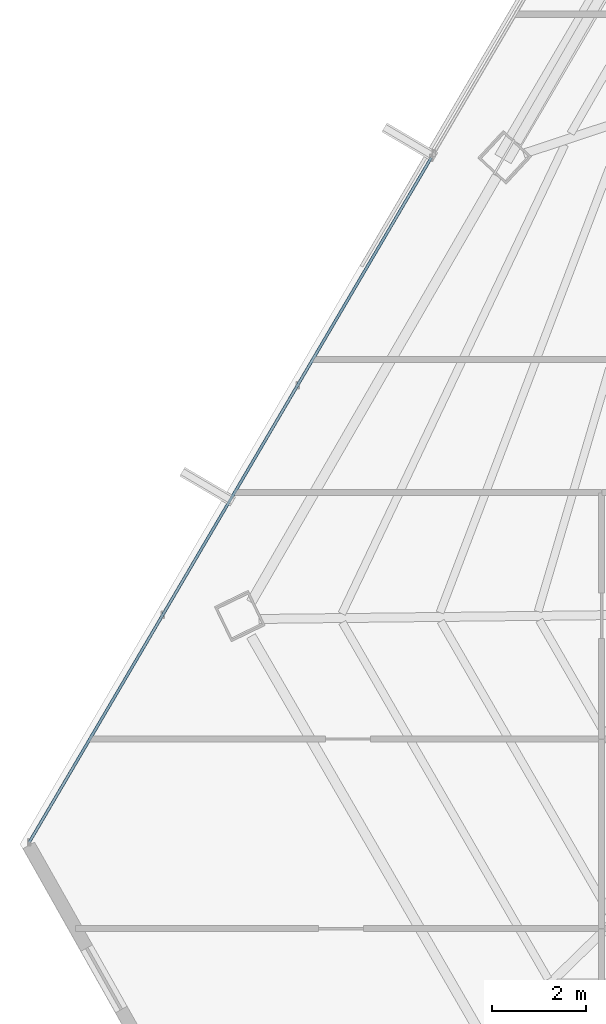
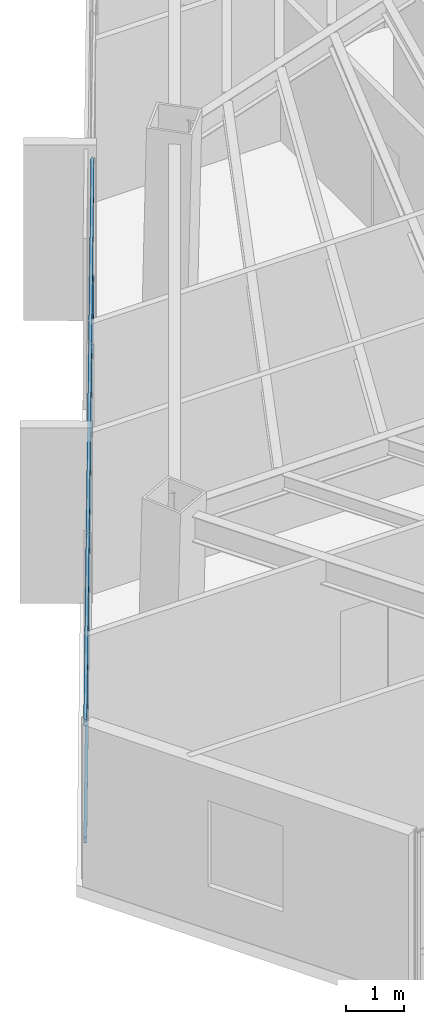
# One storey, part 9 of 42: 2 members, 1 element without a shape of its own.
"""IFC4 building model written with IfcOpenShell, lengths in metres."""

from ifc_helpers import new_model, si_unit, direction, frame, origin, origin_2d, place, context, subcontext, project, spatial, hollow_rectangle, extrude, source, transform, mapped, material, material_profile, profile_set, type_object, type_shapes, element, aggregate, save


model = new_model("IFC4")

# Units and contexts
model_context = context("Model", 3, precision=1e-05, world=origin(), true_north=direction((0.0, 1.0)))
body_context = subcontext(model_context, "Body", "Model", "MODEL_VIEW")
ifc_project = project(units=[si_unit("LENGTHUNIT", "METRE"), si_unit("AREAUNIT", "SQUARE_METRE"), si_unit("VOLUMEUNIT", "CUBIC_METRE"), si_unit("PLANEANGLEUNIT", "RADIAN"), si_unit("MASSUNIT", "GRAM", prefix="KILO")], contexts=[model_context])

# Site, building, storey
site_placement = place(None, origin())
site = spatial("IfcSite", under=ifc_project, at=site_placement, CompositionType="ELEMENT")
building_placement = place(site_placement, origin())
building = spatial("IfcBuilding", under=site, at=building_placement, Name="Caelisora Broadcast Tower", CompositionType="ELEMENT")
storey_placement = place(building_placement, frame((0.0, 0.0, 195.0)))
storey = spatial("IfcBuildingStorey", under=building, at=storey_placement, Name="L51", CompositionType="ELEMENT", Elevation=195.0)

# Curtain wall, members
ifc_material_1 = material(Name="Unitised Aluminium and Low-E Glass Curtain Wall", Category="glass")
curtain_wall_type = type_object("IfcCurtainWallType", Name="CW-Z4", PredefinedType="NOTDEFINED", material=ifc_material_1)
curtain_wall_placement = place(storey_placement, origin())
curtain_wall = element("IfcCurtainWall", 1, at=curtain_wall_placement, inside=storey, type_object=curtain_wall_type, Name="L51 curtain wall CW-Z4", PredefinedType="NOTDEFINED")
ifc_material_2 = material(Name="Aluminium 6063-T6 Anodised Terracotta Bronze", Category="aluminium")
ifc_material_profile = material_profile(ifc_material_2, hollow_rectangle(XDim=0.06005859375, YDim=0.1201171875, WallThickness=0.0029296875, at=origin_2d()), Name="Aluminium 6063-T6 Anodised Terracotta Bronze")
ifc_profile_set = profile_set([ifc_material_profile], Name="Aluminium 6063-T6 Anodised Terracotta Bronze")
member_type = type_object("IfcMemberType", Name="CWT-03", PredefinedType="USERDEFINED", material=ifc_profile_set)
shared_shape = source(origin(), body_context, "Body", "SweptSolid", [
    extrude(hollow_rectangle(XDim=0.06005859375, YDim=0.1201171875, WallThickness=0.0029296875, at=origin_2d()), origin(), (0.0, 0.0, 1.0), 16.87109375),
])
type_shapes(member_type, [shared_shape])
member_1_placement = place(storey_placement, frame((11.332275390625, 12.498046875, 0.85009765625), z_axis=(0.506364810357, 0.862319360116, 0.0), x_axis=(-0.862319360116, 0.506364810357, 0.0)))
member_1 = element("IfcMember", 2, at=member_1_placement, type_object=member_type, Name="L51-CW-B09 transom #1", ObjectType="TRANSOM", PredefinedType="USERDEFINED", context=body_context, shape_type="MappedRepresentation", body=[
    mapped(shared_shape, transform((0.0, 0.0, 0.0), scale=1.0)),
])
member_2_placement = place(storey_placement, frame((11.332275390625, 12.498046875, 3.320068359375), z_axis=(0.506364810357, 0.862319360116, 0.0), x_axis=(-0.862319360116, 0.506364810357, 0.0)))
member_2 = element("IfcMember", 3, at=member_2_placement, type_object=member_type, Name="L51-CW-B09 transom #2", ObjectType="TRANSOM", PredefinedType="USERDEFINED", context=body_context, shape_type="MappedRepresentation", body=[
    mapped(shared_shape, transform((0.0, 0.0, 0.0), scale=1.0)),
])
aggregate(curtain_wall, [member_1, member_2])

save(model, "model.ifc")
